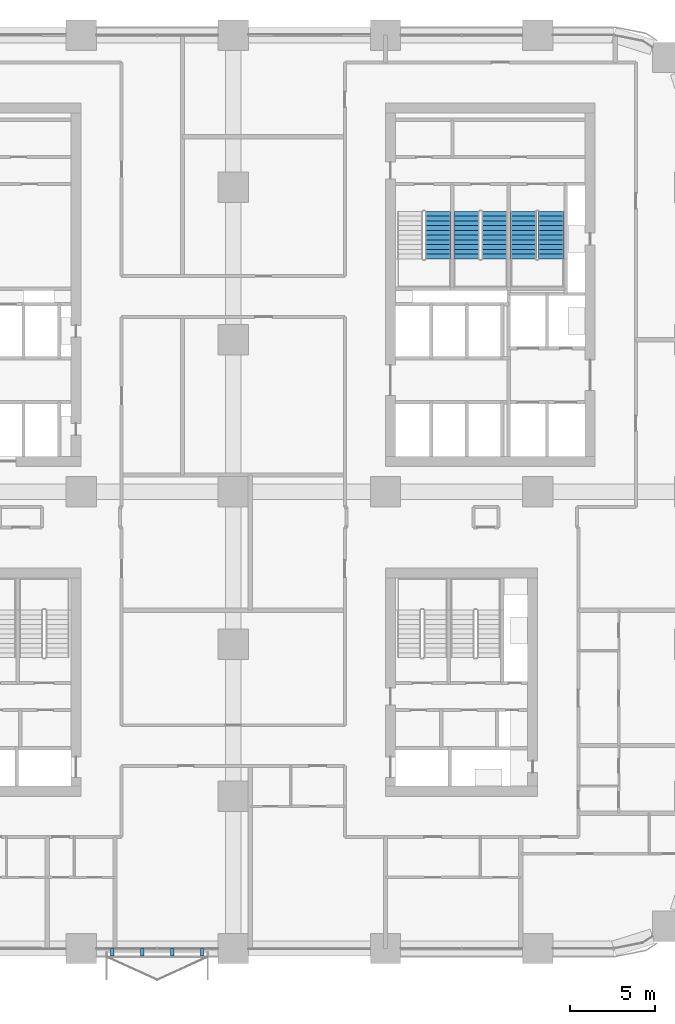
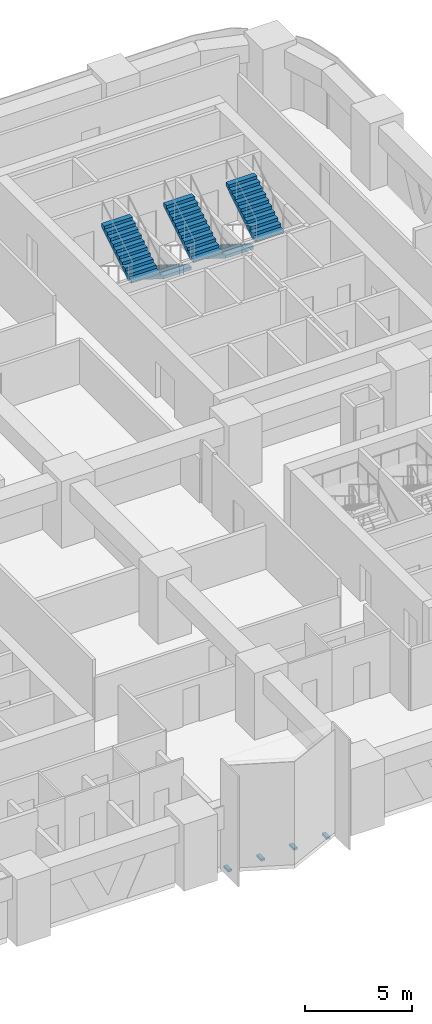
# One storey, part 21 of 24: 5 stair flights, 4 discrete accessories, 3 elements without a shape of their own.
"""IFC4 building model written with IfcOpenShell, lengths in metres."""

from ifc_helpers import new_model, si_unit, direction, frame, origin, origin_2d, place, context, subcontext, project, spatial, polyline, rectangle, outline, extrude, material, type_object, element, aggregate, save


model = new_model("IFC4")

# Units and contexts
model_context = context("Model", 3, precision=1e-05, world=origin(), true_north=direction((0.0, 1.0)))
body_context = subcontext(model_context, "Body", "Model", "MODEL_VIEW")
ifc_project = project(units=[si_unit("LENGTHUNIT", "METRE"), si_unit("AREAUNIT", "SQUARE_METRE"), si_unit("VOLUMEUNIT", "CUBIC_METRE"), si_unit("PLANEANGLEUNIT", "RADIAN"), si_unit("MASSUNIT", "GRAM", prefix="KILO")], contexts=[model_context])

# Site, building, storey
site_placement = place(None, origin())
site = spatial("IfcSite", under=ifc_project, at=site_placement, CompositionType="ELEMENT")
building_placement = place(site_placement, origin())
building = spatial("IfcBuilding", under=site, at=building_placement, Name="Tessera Arch", CompositionType="ELEMENT")
storey_placement = place(building_placement, frame((0.0, 0.0, 38.60009765625)))
storey = spatial("IfcBuildingStorey", under=building, at=storey_placement, Name="L07", CompositionType="ELEMENT", Elevation=38.60009765625)

# Stair, stair flight
ifc_material_1 = material(Name="Concrete C40/50", Category="concrete")
stair_type = type_object("IfcStairType", Name="Dogleg stair 1520", PredefinedType="HALF_TURN_STAIR", material=ifc_material_1)
stair_1_placement = place(storey_placement, origin())
stair_1 = element("IfcStair", 1, at=stair_1_placement, inside=storey, type_object=stair_type, Name="L07 S1a", PredefinedType="HALF_TURN_STAIR")
ifc_material_2 = material(Name="Concrete C40/50", Category="concrete")
stair_flight_type = type_object("IfcStairFlightType", Name="Stair flight 1520", PredefinedType="STRAIGHT", material=ifc_material_2)
stair_flight_1_placement = place(storey_placement, frame((39.090087890625, 40.780029296875, 1.89990234375), z_axis=(0.0, 0.0, 1.0), x_axis=(0.0, 1.0, 0.0)))
stair_flight_1 = element("IfcStairFlight", 2, at=stair_flight_1_placement, type_object=stair_flight_type, Name="S1a flight 2", NumberOfRisers=11, NumberOfTreads=10, PredefinedType="STRAIGHT", RiserHeight=0.172727273, TreadLength=0.28, context=body_context, shape_type="SweptSolid", body=[
    extrude(outline(polyline([(0.0, 0.0), (0.0, 0.172607421875), (0.280029296875, 0.172607421875), (0.280029296875, 0.345458984375), (0.56005859375, 0.345458984375), (0.56005859375, 0.51806640625), (0.840087890625, 0.51806640625), (0.840087890625, 0.69091796875), (1.1201171875, 0.69091796875), (1.1201171875, 0.863525390625), (1.39990234375, 0.863525390625), (1.39990234375, 1.036376953125), (1.679931640625, 1.036376953125), (1.679931640625, 1.208984375), (1.9599609375, 1.208984375), (1.9599609375, 1.3818359375), (2.239990234375, 1.3818359375), (2.239990234375, 1.554443359375), (2.52001953125, 1.554443359375), (2.52001953125, 1.727294921875), (2.800048828125, 1.727294921875), (2.800048828125, 1.89990234375), (2.800048828125, 1.551025390625), (0.285400390625, 0.0), (0.0, 0.0)])), frame((0.0, 0.760009765625, 0.0), z_axis=(0.0, -1.0, 0.0), x_axis=(1.0, 0.0, 0.0)), (0.0, 0.0, 1.0), 1.52001953125),
])
aggregate(stair_1, [stair_flight_1])

# Stair, stair flights
stair_2_placement = place(storey_placement, origin())
stair_2 = element("IfcStair", 3, at=stair_2_placement, inside=storey, type_object=stair_type, Name="L07 S1b", PredefinedType="HALF_TURN_STAIR")
stair_flight_2_placement = place(storey_placement, frame((40.81005859375, 43.580078125, 0.0), z_axis=(0.0, 0.0, 1.0), x_axis=(0.0, -1.0, 0.0)))
stair_flight_2 = element("IfcStairFlight", 4, at=stair_flight_2_placement, type_object=stair_flight_type, Name="S1b flight 1", NumberOfRisers=11, NumberOfTreads=10, PredefinedType="STRAIGHT", RiserHeight=0.172727273, TreadLength=0.28, context=body_context, shape_type="SweptSolid", body=[
    extrude(outline(polyline([(0.0, 0.0), (0.0, 0.172607421875), (0.280029296875, 0.172607421875), (0.280029296875, 0.345458984375), (0.56005859375, 0.345458984375), (0.56005859375, 0.51806640625), (0.840087890625, 0.51806640625), (0.840087890625, 0.69091796875), (1.1201171875, 0.69091796875), (1.1201171875, 0.863525390625), (1.39990234375, 0.863525390625), (1.39990234375, 1.036376953125), (1.679931640625, 1.036376953125), (1.679931640625, 1.208984375), (1.9599609375, 1.208984375), (1.9599609375, 1.3818359375), (2.239990234375, 1.3818359375), (2.239990234375, 1.554443359375), (2.52001953125, 1.554443359375), (2.52001953125, 1.727294921875), (2.800048828125, 1.727294921875), (2.800048828125, 1.89990234375), (2.800048828125, 1.551025390625), (0.285400390625, 0.0), (0.0, 0.0)])), frame((0.0, 0.760009765625, 0.0), z_axis=(0.0, -1.0, 0.0), x_axis=(1.0, 0.0, 0.0)), (0.0, 0.0, 1.0), 1.52001953125),
])
stair_flight_3_placement = place(storey_placement, frame((42.43994140625, 40.780029296875, 1.89990234375), z_axis=(0.0, 0.0, 1.0), x_axis=(0.0, 1.0, 0.0)))
stair_flight_3 = element("IfcStairFlight", 5, at=stair_flight_3_placement, type_object=stair_flight_type, Name="S1b flight 2", NumberOfRisers=11, NumberOfTreads=10, PredefinedType="STRAIGHT", RiserHeight=0.172727273, TreadLength=0.28, context=body_context, shape_type="SweptSolid", body=[
    extrude(outline(polyline([(0.0, 0.0), (0.0, 0.172607421875), (0.280029296875, 0.172607421875), (0.280029296875, 0.345458984375), (0.56005859375, 0.345458984375), (0.56005859375, 0.51806640625), (0.840087890625, 0.51806640625), (0.840087890625, 0.69091796875), (1.1201171875, 0.69091796875), (1.1201171875, 0.863525390625), (1.39990234375, 0.863525390625), (1.39990234375, 1.036376953125), (1.679931640625, 1.036376953125), (1.679931640625, 1.208984375), (1.9599609375, 1.208984375), (1.9599609375, 1.3818359375), (2.239990234375, 1.3818359375), (2.239990234375, 1.554443359375), (2.52001953125, 1.554443359375), (2.52001953125, 1.727294921875), (2.800048828125, 1.727294921875), (2.800048828125, 1.89990234375), (2.800048828125, 1.551025390625), (0.285400390625, 0.0), (0.0, 0.0)])), frame((0.0, 0.760009765625, 0.0), z_axis=(0.0, -1.0, 0.0), x_axis=(1.0, 0.0, 0.0)), (0.0, 0.0, 1.0), 1.52001953125),
])
aggregate(stair_2, [stair_flight_2, stair_flight_3])

stair_3_placement = place(storey_placement, origin())
stair_3 = element("IfcStair", 6, at=stair_3_placement, inside=storey, type_object=stair_type, Name="L07 S1c", PredefinedType="HALF_TURN_STAIR")
stair_flight_4_placement = place(storey_placement, frame((44.159912109375, 43.580078125, 0.0), z_axis=(0.0, 0.0, 1.0), x_axis=(0.0, -1.0, 0.0)))
stair_flight_4 = element("IfcStairFlight", 7, at=stair_flight_4_placement, type_object=stair_flight_type, Name="S1c flight 1", NumberOfRisers=11, NumberOfTreads=10, PredefinedType="STRAIGHT", RiserHeight=0.172727273, TreadLength=0.28, context=body_context, shape_type="SweptSolid", body=[
    extrude(outline(polyline([(0.0, 0.0), (0.0, 0.172607421875), (0.280029296875, 0.172607421875), (0.280029296875, 0.345458984375), (0.56005859375, 0.345458984375), (0.56005859375, 0.51806640625), (0.840087890625, 0.51806640625), (0.840087890625, 0.69091796875), (1.1201171875, 0.69091796875), (1.1201171875, 0.863525390625), (1.39990234375, 0.863525390625), (1.39990234375, 1.036376953125), (1.679931640625, 1.036376953125), (1.679931640625, 1.208984375), (1.9599609375, 1.208984375), (1.9599609375, 1.3818359375), (2.239990234375, 1.3818359375), (2.239990234375, 1.554443359375), (2.52001953125, 1.554443359375), (2.52001953125, 1.727294921875), (2.800048828125, 1.727294921875), (2.800048828125, 1.89990234375), (2.800048828125, 1.551025390625), (0.285400390625, 0.0), (0.0, 0.0)])), frame((0.0, 0.760009765625, 0.0), z_axis=(0.0, -1.0, 0.0), x_axis=(1.0, 0.0, 0.0)), (0.0, 0.0, 1.0), 1.52001953125),
])
stair_flight_5_placement = place(storey_placement, frame((45.7900390625, 40.780029296875, 1.89990234375), z_axis=(0.0, 0.0, 1.0), x_axis=(0.0, 1.0, 0.0)))
stair_flight_5 = element("IfcStairFlight", 8, at=stair_flight_5_placement, type_object=stair_flight_type, Name="S1c flight 2", NumberOfRisers=11, NumberOfTreads=10, PredefinedType="STRAIGHT", RiserHeight=0.172727273, TreadLength=0.28, context=body_context, shape_type="SweptSolid", body=[
    extrude(outline(polyline([(0.0, 0.0), (0.0, 0.172607421875), (0.280029296875, 0.172607421875), (0.280029296875, 0.345458984375), (0.56005859375, 0.345458984375), (0.56005859375, 0.51806640625), (0.840087890625, 0.51806640625), (0.840087890625, 0.69091796875), (1.1201171875, 0.69091796875), (1.1201171875, 0.863525390625), (1.39990234375, 0.863525390625), (1.39990234375, 1.036376953125), (1.679931640625, 1.036376953125), (1.679931640625, 1.208984375), (1.9599609375, 1.208984375), (1.9599609375, 1.3818359375), (2.239990234375, 1.3818359375), (2.239990234375, 1.554443359375), (2.52001953125, 1.554443359375), (2.52001953125, 1.727294921875), (2.800048828125, 1.727294921875), (2.800048828125, 1.89990234375), (2.800048828125, 1.551025390625), (0.285400390625, 0.0), (0.0, 0.0)])), frame((0.0, 0.760009765625, 0.0), z_axis=(0.0, -1.0, 0.0), x_axis=(1.0, 0.0, 0.0)), (0.0, 0.0, 1.0), 1.52001953125),
])
aggregate(stair_3, [stair_flight_4, stair_flight_5])

# Discrete accessories
for number, where, z_axis, x_axis, name in (
    (9, (19.85009765625, -0.219970703125, -0.1201171875), (0.0, 0.0, 1.0), (0.0, -1.0, 0.0), "Window box bracket"),
    (10, (21.61669921875, -0.219970703125, -0.1201171875), (0.0, 0.0, 1.0), (0.0, -1.0, 0.0), "Window box bracket"),
    (11, (23.38330078125, -0.219970703125, -0.1201171875), (0.0, 0.0, 1.0), (0.0, -1.0, 0.0), "Window box bracket"),
    (12, (25.14990234375, -0.219970703125, -0.1201171875), (0.0, 0.0, 1.0), (0.0, -1.0, 0.0), "Window box bracket"),
):
    element("IfcDiscreteAccessory", number, at=place(storey_placement, frame(where, z_axis=z_axis, x_axis=x_axis)), inside=storey, Name=name, PredefinedType="BRACKET", context=body_context, shape_type="SweptSolid", body=[
        extrude(rectangle(XDim=0.43994140625, YDim=0.199951171875, at=origin_2d()), origin(), (0.0, 0.0, 1.0), 0.1201171875),
    ])

save(model, "model.ifc")
